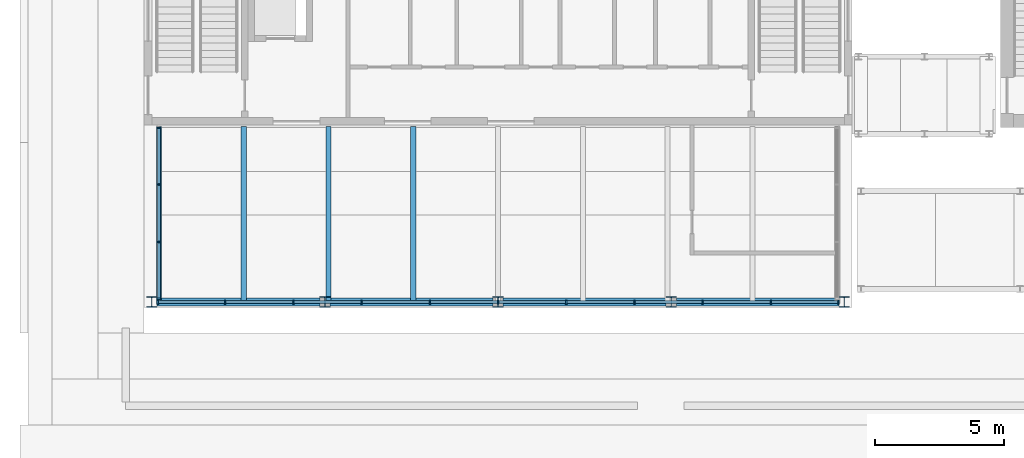
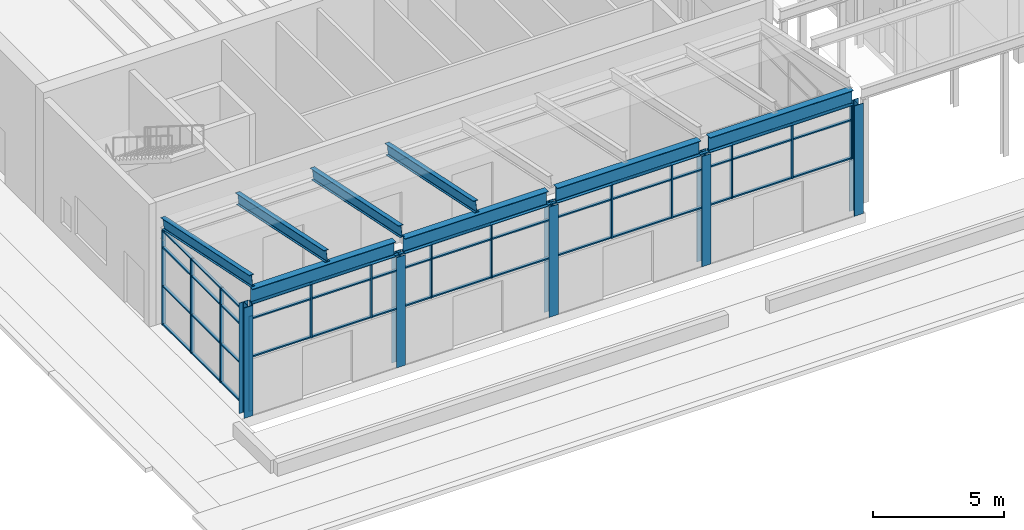
# One storey, part 16 of 71: 66 members, 4 beams, 2 elements without a shape of their own.
"""IFC4 building model written with IfcOpenShell, lengths in metres."""

from ifc_helpers import new_model, si_unit, direction, frame, origin, origin_2d, place, context, subcontext, project, spatial, rectangle, i_section, extrude, material, layer, layer_set, material_profile, profile_set, type_object, element, aggregate, save


model = new_model("IFC4")

# Units and contexts
model_context = context("Model", 3, precision=1e-05, world=origin(), true_north=direction((0.0, 1.0)))
body_context = subcontext(model_context, "Body", "Model", "MODEL_VIEW")
ifc_project = project(units=[si_unit("LENGTHUNIT", "METRE"), si_unit("AREAUNIT", "SQUARE_METRE"), si_unit("VOLUMEUNIT", "CUBIC_METRE"), si_unit("PLANEANGLEUNIT", "RADIAN"), si_unit("MASSUNIT", "GRAM", prefix="KILO")], contexts=[model_context])

# Site, building, storey
site_placement = place(None, origin())
site = spatial("IfcSite", under=ifc_project, at=site_placement, CompositionType="ELEMENT")
building_placement = place(site_placement, origin())
building = spatial("IfcBuilding", under=site, at=building_placement, Name="Basin Gate Institute", CompositionType="ELEMENT")
storey_placement = place(building_placement, origin())
storey = spatial("IfcBuildingStorey", under=building, at=storey_placement, Name="L00", CompositionType="ELEMENT", Elevation=0.0)

# Curtain wall, members
ifc_material_1 = material(Name="Aluminium and glass curtain wall", Category="aluminium")
ifc_layer = layer(ifc_material_1, 0.14990234375)
ifc_layer_set = layer_set([ifc_layer], Name="Atrium curtain wall CW81")
curtain_wall_type = type_object("IfcCurtainWallType", Name="Atrium curtain wall CW81", PredefinedType="NOTDEFINED", material=ifc_layer_set)
curtain_wall_1_placement = place(storey_placement, origin())
curtain_wall_1 = element("IfcCurtainWall", 1, at=curtain_wall_1_placement, inside=storey, type_object=curtain_wall_type, material=ifc_layer_set, Name="Foyer glazed front", PredefinedType="NOTDEFINED")
ifc_material_2 = material(Name="Aluminium mullion", Category="aluminium")
ifc_material_profile_1 = material_profile(ifc_material_2, rectangle(XDim=0.159912109375, YDim=0.06005859375, at=origin_2d()), Name="Atrium mullion MU81 160 x 60")
ifc_profile_set_1 = profile_set([ifc_material_profile_1], Name="Aluminium mullion")
member_type_1 = type_object("IfcMemberType", Name="Atrium mullion MU81", PredefinedType="MULLION", material=ifc_profile_set_1)
member_1_placement = place(storey_placement, frame((28.330078125, 28.10009765625, 2.60009765625), z_axis=(0.0, 0.0, 1.0), x_axis=(0.0, 1.0, 0.0)))
member_1 = element("IfcMember", 2, at=member_1_placement, type_object=member_type_1, material=ifc_profile_set_1, Name="CW81 mullion 1", PredefinedType="MULLION", context=body_context, shape_type="SweptSolid", body=[
    extrude(rectangle(XDim=0.159912109375, YDim=0.06005859375, at=origin_2d()), origin(), (0.0, 0.0, 1.0), 2.527587890625),
])
member_2_placement = place(storey_placement, frame((30.93994140625, 28.10009765625, 2.60009765625), z_axis=(0.0, 0.0, 1.0), x_axis=(0.0, 1.0, 0.0)))
member_2 = element("IfcMember", 3, at=member_2_placement, type_object=member_type_1, material=ifc_profile_set_1, Name="CW81 mullion 2", PredefinedType="MULLION", context=body_context, shape_type="SweptSolid", body=[
    extrude(rectangle(XDim=0.159912109375, YDim=0.06005859375, at=origin_2d()), origin(), (0.0, 0.0, 1.0), 2.527587890625),
])
member_3_placement = place(storey_placement, frame((33.580078125, 28.10009765625, 2.60009765625), z_axis=(0.0, 0.0, 1.0), x_axis=(0.0, 1.0, 0.0)))
member_3 = element("IfcMember", 4, at=member_3_placement, type_object=member_type_1, material=ifc_profile_set_1, Name="CW81 mullion 3", PredefinedType="MULLION", context=body_context, shape_type="SweptSolid", body=[
    extrude(rectangle(XDim=0.159912109375, YDim=0.06005859375, at=origin_2d()), origin(), (0.0, 0.0, 1.0), 2.527587890625),
])
member_4_placement = place(storey_placement, frame((36.219970703125, 28.10009765625, 2.60009765625), z_axis=(0.0, 0.0, 1.0), x_axis=(0.0, 1.0, 0.0)))
member_4 = element("IfcMember", 5, at=member_4_placement, type_object=member_type_1, material=ifc_profile_set_1, Name="CW81 mullion 4", PredefinedType="MULLION", context=body_context, shape_type="SweptSolid", body=[
    extrude(rectangle(XDim=0.159912109375, YDim=0.06005859375, at=origin_2d()), origin(), (0.0, 0.0, 1.0), 2.527587890625),
])
member_5_placement = place(storey_placement, frame((38.860107421875, 28.10009765625, 2.60009765625), z_axis=(0.0, 0.0, 1.0), x_axis=(0.0, 1.0, 0.0)))
member_5 = element("IfcMember", 6, at=member_5_placement, type_object=member_type_1, material=ifc_profile_set_1, Name="CW81 mullion 5", PredefinedType="MULLION", context=body_context, shape_type="SweptSolid", body=[
    extrude(rectangle(XDim=0.159912109375, YDim=0.06005859375, at=origin_2d()), origin(), (0.0, 0.0, 1.0), 2.527587890625),
])
member_6_placement = place(storey_placement, frame((41.5, 28.10009765625, 2.60009765625), z_axis=(0.0, 0.0, 1.0), x_axis=(0.0, 1.0, 0.0)))
member_6 = element("IfcMember", 7, at=member_6_placement, type_object=member_type_1, material=ifc_profile_set_1, Name="CW81 mullion 6", PredefinedType="MULLION", context=body_context, shape_type="SweptSolid", body=[
    extrude(rectangle(XDim=0.159912109375, YDim=0.06005859375, at=origin_2d()), origin(), (0.0, 0.0, 1.0), 2.527587890625),
])
member_7_placement = place(storey_placement, frame((44.139892578125, 28.10009765625, 2.60009765625), z_axis=(0.0, 0.0, 1.0), x_axis=(0.0, 1.0, 0.0)))
member_7 = element("IfcMember", 8, at=member_7_placement, type_object=member_type_1, material=ifc_profile_set_1, Name="CW81 mullion 7", PredefinedType="MULLION", context=body_context, shape_type="SweptSolid", body=[
    extrude(rectangle(XDim=0.159912109375, YDim=0.06005859375, at=origin_2d()), origin(), (0.0, 0.0, 1.0), 2.527587890625),
])
member_8_placement = place(storey_placement, frame((46.780029296875, 28.10009765625, 2.60009765625), z_axis=(0.0, 0.0, 1.0), x_axis=(0.0, 1.0, 0.0)))
member_8 = element("IfcMember", 9, at=member_8_placement, type_object=member_type_1, material=ifc_profile_set_1, Name="CW81 mullion 8", PredefinedType="MULLION", context=body_context, shape_type="SweptSolid", body=[
    extrude(rectangle(XDim=0.159912109375, YDim=0.06005859375, at=origin_2d()), origin(), (0.0, 0.0, 1.0), 2.527587890625),
])
member_9_placement = place(storey_placement, frame((49.419921875, 28.10009765625, 2.60009765625), z_axis=(0.0, 0.0, 1.0), x_axis=(0.0, 1.0, 0.0)))
member_9 = element("IfcMember", 10, at=member_9_placement, type_object=member_type_1, material=ifc_profile_set_1, Name="CW81 mullion 9", PredefinedType="MULLION", context=body_context, shape_type="SweptSolid", body=[
    extrude(rectangle(XDim=0.159912109375, YDim=0.06005859375, at=origin_2d()), origin(), (0.0, 0.0, 1.0), 2.527587890625),
])
member_10_placement = place(storey_placement, frame((52.06005859375, 28.10009765625, 2.60009765625), z_axis=(0.0, 0.0, 1.0), x_axis=(0.0, 1.0, 0.0)))
member_10 = element("IfcMember", 11, at=member_10_placement, type_object=member_type_1, material=ifc_profile_set_1, Name="CW81 mullion 10", PredefinedType="MULLION", context=body_context, shape_type="SweptSolid", body=[
    extrude(rectangle(XDim=0.159912109375, YDim=0.06005859375, at=origin_2d()), origin(), (0.0, 0.0, 1.0), 2.527587890625),
])
member_11_placement = place(storey_placement, frame((54.669921875, 28.10009765625, 2.60009765625), z_axis=(0.0, 0.0, 1.0), x_axis=(0.0, 1.0, 0.0)))
member_11 = element("IfcMember", 12, at=member_11_placement, type_object=member_type_1, material=ifc_profile_set_1, Name="CW81 mullion 11", PredefinedType="MULLION", context=body_context, shape_type="SweptSolid", body=[
    extrude(rectangle(XDim=0.159912109375, YDim=0.06005859375, at=origin_2d()), origin(), (0.0, 0.0, 1.0), 2.527587890625),
])

curtain_wall_2_placement = place(storey_placement, origin())
curtain_wall_2 = element("IfcCurtainWall", 13, at=curtain_wall_2_placement, inside=storey, type_object=curtain_wall_type, material=ifc_layer_set, Name="Foyer glazed side W", PredefinedType="NOTDEFINED")
member_12_placement = place(storey_placement, frame((28.375, 28.22998046875, 0.0), z_axis=(0.0, 0.0, 1.0), x_axis=(-1.0, 0.0, 0.0)))
member_12 = element("IfcMember", 14, at=member_12_placement, type_object=member_type_1, material=ifc_profile_set_1, Name="CW81 mullion 1", PredefinedType="MULLION", context=body_context, shape_type="SweptSolid", body=[
    extrude(rectangle(XDim=0.159912109375, YDim=0.06005859375, at=origin_2d()), origin(), (0.0, 0.0, 1.0), 4.39990234375),
])
member_13_placement = place(storey_placement, frame((28.375, 30.425048828125, 0.0), z_axis=(0.0, 0.0, 1.0), x_axis=(-1.0, 0.0, 0.0)))
member_13 = element("IfcMember", 15, at=member_13_placement, type_object=member_type_1, material=ifc_profile_set_1, Name="CW81 mullion 2", PredefinedType="MULLION", context=body_context, shape_type="SweptSolid", body=[
    extrude(rectangle(XDim=0.159912109375, YDim=0.06005859375, at=origin_2d()), origin(), (0.0, 0.0, 1.0), 4.39990234375),
])
member_14_placement = place(storey_placement, frame((28.375, 32.64990234375, 0.0), z_axis=(0.0, 0.0, 1.0), x_axis=(-1.0, 0.0, 0.0)))
member_14 = element("IfcMember", 16, at=member_14_placement, type_object=member_type_1, material=ifc_profile_set_1, Name="CW81 mullion 3", PredefinedType="MULLION", context=body_context, shape_type="SweptSolid", body=[
    extrude(rectangle(XDim=0.159912109375, YDim=0.06005859375, at=origin_2d()), origin(), (0.0, 0.0, 1.0), 4.39990234375),
])
member_15_placement = place(storey_placement, frame((28.375, 34.844970703125, 0.0), z_axis=(0.0, 0.0, 1.0), x_axis=(-1.0, 0.0, 0.0)))
member_15 = element("IfcMember", 17, at=member_15_placement, type_object=member_type_1, material=ifc_profile_set_1, Name="CW81 mullion 4", PredefinedType="MULLION", context=body_context, shape_type="SweptSolid", body=[
    extrude(rectangle(XDim=0.159912109375, YDim=0.06005859375, at=origin_2d()), origin(), (0.0, 0.0, 1.0), 4.39990234375),
])

# Member
ifc_material_3 = material(Name="Aluminium transom", Category="aluminium")
ifc_material_profile_2 = material_profile(ifc_material_3, rectangle(XDim=0.1201171875, YDim=0.06005859375, at=origin_2d()), Name="Atrium transom TR81 120 x 60")
ifc_profile_set_2 = profile_set([ifc_material_profile_2], Name="Aluminium transom")
member_type_2 = type_object("IfcMemberType", Name="Atrium transom TR81", PredefinedType="USERDEFINED", material=ifc_profile_set_2)
member_16_placement = place(storey_placement, frame((28.360107421875, 28.10009765625, 2.6298828125), z_axis=(1.0, 0.0, 0.0), x_axis=(0.0, 1.0, 0.0)))
member_16 = element("IfcMember", 18, at=member_16_placement, type_object=member_type_2, material=ifc_profile_set_2, Name="CW81 transom 1.1", ObjectType="TRANSOM", PredefinedType="USERDEFINED", context=body_context, shape_type="SweptSolid", body=[
    extrude(rectangle(XDim=0.1201171875, YDim=0.06005859375, at=origin_2d()), origin(), (0.0, 0.0, 1.0), 2.5498046875),
])

member_17_placement = place(storey_placement, frame((28.360107421875, 28.10009765625, 4.39990234375), z_axis=(1.0, 0.0, 0.0), x_axis=(0.0, 1.0, 0.0)))
member_17 = element("IfcMember", 19, at=member_17_placement, type_object=member_type_2, material=ifc_profile_set_2, Name="CW81 transom 1.2", ObjectType="TRANSOM", PredefinedType="USERDEFINED", context=body_context, shape_type="SweptSolid", body=[
    extrude(rectangle(XDim=0.1201171875, YDim=0.06005859375, at=origin_2d()), origin(), (0.0, 0.0, 1.0), 2.5498046875),
])

member_18_placement = place(storey_placement, frame((28.360107421875, 28.10009765625, 5.09765625), z_axis=(1.0, 0.0, 0.0), x_axis=(0.0, 1.0, 0.0)))
member_18 = element("IfcMember", 20, at=member_18_placement, type_object=member_type_2, material=ifc_profile_set_2, Name="CW81 transom 1.3", ObjectType="TRANSOM", PredefinedType="USERDEFINED", context=body_context, shape_type="SweptSolid", body=[
    extrude(rectangle(XDim=0.1201171875, YDim=0.06005859375, at=origin_2d()), origin(), (0.0, 0.0, 1.0), 2.5498046875),
])

member_19_placement = place(storey_placement, frame((30.969970703125, 28.10009765625, 2.6298828125), z_axis=(1.0, 0.0, 0.0), x_axis=(0.0, 1.0, 0.0)))
member_19 = element("IfcMember", 21, at=member_19_placement, type_object=member_type_2, material=ifc_profile_set_2, Name="CW81 transom 2.1", ObjectType="TRANSOM", PredefinedType="USERDEFINED", context=body_context, shape_type="SweptSolid", body=[
    extrude(rectangle(XDim=0.1201171875, YDim=0.06005859375, at=origin_2d()), origin(), (0.0, 0.0, 1.0), 2.580078125),
])

member_20_placement = place(storey_placement, frame((30.969970703125, 28.10009765625, 4.39990234375), z_axis=(1.0, 0.0, 0.0), x_axis=(0.0, 1.0, 0.0)))
member_20 = element("IfcMember", 22, at=member_20_placement, type_object=member_type_2, material=ifc_profile_set_2, Name="CW81 transom 2.2", ObjectType="TRANSOM", PredefinedType="USERDEFINED", context=body_context, shape_type="SweptSolid", body=[
    extrude(rectangle(XDim=0.1201171875, YDim=0.06005859375, at=origin_2d()), origin(), (0.0, 0.0, 1.0), 2.580078125),
])

member_21_placement = place(storey_placement, frame((30.969970703125, 28.10009765625, 5.09765625), z_axis=(1.0, 0.0, 0.0), x_axis=(0.0, 1.0, 0.0)))
member_21 = element("IfcMember", 23, at=member_21_placement, type_object=member_type_2, material=ifc_profile_set_2, Name="CW81 transom 2.3", ObjectType="TRANSOM", PredefinedType="USERDEFINED", context=body_context, shape_type="SweptSolid", body=[
    extrude(rectangle(XDim=0.1201171875, YDim=0.06005859375, at=origin_2d()), origin(), (0.0, 0.0, 1.0), 2.580078125),
])

member_22_placement = place(storey_placement, frame((33.610107421875, 28.10009765625, 2.6298828125), z_axis=(1.0, 0.0, 0.0), x_axis=(0.0, 1.0, 0.0)))
member_22 = element("IfcMember", 24, at=member_22_placement, type_object=member_type_2, material=ifc_profile_set_2, Name="CW81 transom 3.1", ObjectType="TRANSOM", PredefinedType="USERDEFINED", context=body_context, shape_type="SweptSolid", body=[
    extrude(rectangle(XDim=0.1201171875, YDim=0.06005859375, at=origin_2d()), origin(), (0.0, 0.0, 1.0), 2.579833984375),
])

member_23_placement = place(storey_placement, frame((33.610107421875, 28.10009765625, 4.39990234375), z_axis=(1.0, 0.0, 0.0), x_axis=(0.0, 1.0, 0.0)))
member_23 = element("IfcMember", 25, at=member_23_placement, type_object=member_type_2, material=ifc_profile_set_2, Name="CW81 transom 3.2", ObjectType="TRANSOM", PredefinedType="USERDEFINED", context=body_context, shape_type="SweptSolid", body=[
    extrude(rectangle(XDim=0.1201171875, YDim=0.06005859375, at=origin_2d()), origin(), (0.0, 0.0, 1.0), 2.579833984375),
])

member_24_placement = place(storey_placement, frame((33.610107421875, 28.10009765625, 5.09765625), z_axis=(1.0, 0.0, 0.0), x_axis=(0.0, 1.0, 0.0)))
member_24 = element("IfcMember", 26, at=member_24_placement, type_object=member_type_2, material=ifc_profile_set_2, Name="CW81 transom 3.3", ObjectType="TRANSOM", PredefinedType="USERDEFINED", context=body_context, shape_type="SweptSolid", body=[
    extrude(rectangle(XDim=0.1201171875, YDim=0.06005859375, at=origin_2d()), origin(), (0.0, 0.0, 1.0), 2.579833984375),
])

member_25_placement = place(storey_placement, frame((36.25, 28.10009765625, 2.6298828125), z_axis=(1.0, 0.0, 0.0), x_axis=(0.0, 1.0, 0.0)))
member_25 = element("IfcMember", 27, at=member_25_placement, type_object=member_type_2, material=ifc_profile_set_2, Name="CW81 transom 4.1", ObjectType="TRANSOM", PredefinedType="USERDEFINED", context=body_context, shape_type="SweptSolid", body=[
    extrude(rectangle(XDim=0.1201171875, YDim=0.06005859375, at=origin_2d()), origin(), (0.0, 0.0, 1.0), 2.580078125),
])

member_26_placement = place(storey_placement, frame((36.25, 28.10009765625, 4.39990234375), z_axis=(1.0, 0.0, 0.0), x_axis=(0.0, 1.0, 0.0)))
member_26 = element("IfcMember", 28, at=member_26_placement, type_object=member_type_2, material=ifc_profile_set_2, Name="CW81 transom 4.2", ObjectType="TRANSOM", PredefinedType="USERDEFINED", context=body_context, shape_type="SweptSolid", body=[
    extrude(rectangle(XDim=0.1201171875, YDim=0.06005859375, at=origin_2d()), origin(), (0.0, 0.0, 1.0), 2.580078125),
])

member_27_placement = place(storey_placement, frame((36.25, 28.10009765625, 5.09765625), z_axis=(1.0, 0.0, 0.0), x_axis=(0.0, 1.0, 0.0)))
member_27 = element("IfcMember", 29, at=member_27_placement, type_object=member_type_2, material=ifc_profile_set_2, Name="CW81 transom 4.3", ObjectType="TRANSOM", PredefinedType="USERDEFINED", context=body_context, shape_type="SweptSolid", body=[
    extrude(rectangle(XDim=0.1201171875, YDim=0.06005859375, at=origin_2d()), origin(), (0.0, 0.0, 1.0), 2.580078125),
])

member_28_placement = place(storey_placement, frame((38.889892578125, 28.10009765625, 2.6298828125), z_axis=(1.0, 0.0, 0.0), x_axis=(0.0, 1.0, 0.0)))
member_28 = element("IfcMember", 30, at=member_28_placement, type_object=member_type_2, material=ifc_profile_set_2, Name="CW81 transom 5.1", ObjectType="TRANSOM", PredefinedType="USERDEFINED", context=body_context, shape_type="SweptSolid", body=[
    extrude(rectangle(XDim=0.1201171875, YDim=0.06005859375, at=origin_2d()), origin(), (0.0, 0.0, 1.0), 2.580078125),
])

member_29_placement = place(storey_placement, frame((38.889892578125, 28.10009765625, 4.39990234375), z_axis=(1.0, 0.0, 0.0), x_axis=(0.0, 1.0, 0.0)))
member_29 = element("IfcMember", 31, at=member_29_placement, type_object=member_type_2, material=ifc_profile_set_2, Name="CW81 transom 5.2", ObjectType="TRANSOM", PredefinedType="USERDEFINED", context=body_context, shape_type="SweptSolid", body=[
    extrude(rectangle(XDim=0.1201171875, YDim=0.06005859375, at=origin_2d()), origin(), (0.0, 0.0, 1.0), 2.580078125),
])

member_30_placement = place(storey_placement, frame((38.889892578125, 28.10009765625, 5.09765625), z_axis=(1.0, 0.0, 0.0), x_axis=(0.0, 1.0, 0.0)))
member_30 = element("IfcMember", 32, at=member_30_placement, type_object=member_type_2, material=ifc_profile_set_2, Name="CW81 transom 5.3", ObjectType="TRANSOM", PredefinedType="USERDEFINED", context=body_context, shape_type="SweptSolid", body=[
    extrude(rectangle(XDim=0.1201171875, YDim=0.06005859375, at=origin_2d()), origin(), (0.0, 0.0, 1.0), 2.580078125),
])

member_31_placement = place(storey_placement, frame((41.530029296875, 28.10009765625, 2.6298828125), z_axis=(1.0, 0.0, 0.0), x_axis=(0.0, 1.0, 0.0)))
member_31 = element("IfcMember", 33, at=member_31_placement, type_object=member_type_2, material=ifc_profile_set_2, Name="CW81 transom 6.1", ObjectType="TRANSOM", PredefinedType="USERDEFINED", context=body_context, shape_type="SweptSolid", body=[
    extrude(rectangle(XDim=0.1201171875, YDim=0.06005859375, at=origin_2d()), origin(), (0.0, 0.0, 1.0), 2.580078125),
])

member_32_placement = place(storey_placement, frame((41.530029296875, 28.10009765625, 4.39990234375), z_axis=(1.0, 0.0, 0.0), x_axis=(0.0, 1.0, 0.0)))
member_32 = element("IfcMember", 34, at=member_32_placement, type_object=member_type_2, material=ifc_profile_set_2, Name="CW81 transom 6.2", ObjectType="TRANSOM", PredefinedType="USERDEFINED", context=body_context, shape_type="SweptSolid", body=[
    extrude(rectangle(XDim=0.1201171875, YDim=0.06005859375, at=origin_2d()), origin(), (0.0, 0.0, 1.0), 2.580078125),
])

member_33_placement = place(storey_placement, frame((41.530029296875, 28.10009765625, 5.09765625), z_axis=(1.0, 0.0, 0.0), x_axis=(0.0, 1.0, 0.0)))
member_33 = element("IfcMember", 35, at=member_33_placement, type_object=member_type_2, material=ifc_profile_set_2, Name="CW81 transom 6.3", ObjectType="TRANSOM", PredefinedType="USERDEFINED", context=body_context, shape_type="SweptSolid", body=[
    extrude(rectangle(XDim=0.1201171875, YDim=0.06005859375, at=origin_2d()), origin(), (0.0, 0.0, 1.0), 2.580078125),
])

member_34_placement = place(storey_placement, frame((44.169921875, 28.10009765625, 2.6298828125), z_axis=(1.0, 0.0, 0.0), x_axis=(0.0, 1.0, 0.0)))
member_34 = element("IfcMember", 36, at=member_34_placement, type_object=member_type_2, material=ifc_profile_set_2, Name="CW81 transom 7.1", ObjectType="TRANSOM", PredefinedType="USERDEFINED", context=body_context, shape_type="SweptSolid", body=[
    extrude(rectangle(XDim=0.1201171875, YDim=0.06005859375, at=origin_2d()), origin(), (0.0, 0.0, 1.0), 2.580078125),
])

member_35_placement = place(storey_placement, frame((44.169921875, 28.10009765625, 4.39990234375), z_axis=(1.0, 0.0, 0.0), x_axis=(0.0, 1.0, 0.0)))
member_35 = element("IfcMember", 37, at=member_35_placement, type_object=member_type_2, material=ifc_profile_set_2, Name="CW81 transom 7.2", ObjectType="TRANSOM", PredefinedType="USERDEFINED", context=body_context, shape_type="SweptSolid", body=[
    extrude(rectangle(XDim=0.1201171875, YDim=0.06005859375, at=origin_2d()), origin(), (0.0, 0.0, 1.0), 2.580078125),
])

member_36_placement = place(storey_placement, frame((44.169921875, 28.10009765625, 5.09765625), z_axis=(1.0, 0.0, 0.0), x_axis=(0.0, 1.0, 0.0)))
member_36 = element("IfcMember", 38, at=member_36_placement, type_object=member_type_2, material=ifc_profile_set_2, Name="CW81 transom 7.3", ObjectType="TRANSOM", PredefinedType="USERDEFINED", context=body_context, shape_type="SweptSolid", body=[
    extrude(rectangle(XDim=0.1201171875, YDim=0.06005859375, at=origin_2d()), origin(), (0.0, 0.0, 1.0), 2.580078125),
])

member_37_placement = place(storey_placement, frame((46.81005859375, 28.10009765625, 2.6298828125), z_axis=(1.0, 0.0, 0.0), x_axis=(0.0, 1.0, 0.0)))
member_37 = element("IfcMember", 39, at=member_37_placement, type_object=member_type_2, material=ifc_profile_set_2, Name="CW81 transom 8.1", ObjectType="TRANSOM", PredefinedType="USERDEFINED", context=body_context, shape_type="SweptSolid", body=[
    extrude(rectangle(XDim=0.1201171875, YDim=0.06005859375, at=origin_2d()), origin(), (0.0, 0.0, 1.0), 2.579833984375),
])

member_38_placement = place(storey_placement, frame((46.81005859375, 28.10009765625, 4.39990234375), z_axis=(1.0, 0.0, 0.0), x_axis=(0.0, 1.0, 0.0)))
member_38 = element("IfcMember", 40, at=member_38_placement, type_object=member_type_2, material=ifc_profile_set_2, Name="CW81 transom 8.2", ObjectType="TRANSOM", PredefinedType="USERDEFINED", context=body_context, shape_type="SweptSolid", body=[
    extrude(rectangle(XDim=0.1201171875, YDim=0.06005859375, at=origin_2d()), origin(), (0.0, 0.0, 1.0), 2.579833984375),
])

member_39_placement = place(storey_placement, frame((46.81005859375, 28.10009765625, 5.09765625), z_axis=(1.0, 0.0, 0.0), x_axis=(0.0, 1.0, 0.0)))
member_39 = element("IfcMember", 41, at=member_39_placement, type_object=member_type_2, material=ifc_profile_set_2, Name="CW81 transom 8.3", ObjectType="TRANSOM", PredefinedType="USERDEFINED", context=body_context, shape_type="SweptSolid", body=[
    extrude(rectangle(XDim=0.1201171875, YDim=0.06005859375, at=origin_2d()), origin(), (0.0, 0.0, 1.0), 2.579833984375),
])

member_40_placement = place(storey_placement, frame((49.449951171875, 28.10009765625, 2.6298828125), z_axis=(1.0, 0.0, 0.0), x_axis=(0.0, 1.0, 0.0)))
member_40 = element("IfcMember", 42, at=member_40_placement, type_object=member_type_2, material=ifc_profile_set_2, Name="CW81 transom 9.1", ObjectType="TRANSOM", PredefinedType="USERDEFINED", context=body_context, shape_type="SweptSolid", body=[
    extrude(rectangle(XDim=0.1201171875, YDim=0.06005859375, at=origin_2d()), origin(), (0.0, 0.0, 1.0), 2.580078125),
])

member_41_placement = place(storey_placement, frame((49.449951171875, 28.10009765625, 4.39990234375), z_axis=(1.0, 0.0, 0.0), x_axis=(0.0, 1.0, 0.0)))
member_41 = element("IfcMember", 43, at=member_41_placement, type_object=member_type_2, material=ifc_profile_set_2, Name="CW81 transom 9.2", ObjectType="TRANSOM", PredefinedType="USERDEFINED", context=body_context, shape_type="SweptSolid", body=[
    extrude(rectangle(XDim=0.1201171875, YDim=0.06005859375, at=origin_2d()), origin(), (0.0, 0.0, 1.0), 2.580078125),
])

member_42_placement = place(storey_placement, frame((49.449951171875, 28.10009765625, 5.09765625), z_axis=(1.0, 0.0, 0.0), x_axis=(0.0, 1.0, 0.0)))
member_42 = element("IfcMember", 44, at=member_42_placement, type_object=member_type_2, material=ifc_profile_set_2, Name="CW81 transom 9.3", ObjectType="TRANSOM", PredefinedType="USERDEFINED", context=body_context, shape_type="SweptSolid", body=[
    extrude(rectangle(XDim=0.1201171875, YDim=0.06005859375, at=origin_2d()), origin(), (0.0, 0.0, 1.0), 2.580078125),
])

member_43_placement = place(storey_placement, frame((52.090087890625, 28.10009765625, 2.6298828125), z_axis=(1.0, 0.0, 0.0), x_axis=(0.0, 1.0, 0.0)))
member_43 = element("IfcMember", 45, at=member_43_placement, type_object=member_type_2, material=ifc_profile_set_2, Name="CW81 transom 10.1", ObjectType="TRANSOM", PredefinedType="USERDEFINED", context=body_context, shape_type="SweptSolid", body=[
    extrude(rectangle(XDim=0.1201171875, YDim=0.06005859375, at=origin_2d()), origin(), (0.0, 0.0, 1.0), 2.5498046875),
])

member_44_placement = place(storey_placement, frame((52.090087890625, 28.10009765625, 4.39990234375), z_axis=(1.0, 0.0, 0.0), x_axis=(0.0, 1.0, 0.0)))
member_44 = element("IfcMember", 46, at=member_44_placement, type_object=member_type_2, material=ifc_profile_set_2, Name="CW81 transom 10.2", ObjectType="TRANSOM", PredefinedType="USERDEFINED", context=body_context, shape_type="SweptSolid", body=[
    extrude(rectangle(XDim=0.1201171875, YDim=0.06005859375, at=origin_2d()), origin(), (0.0, 0.0, 1.0), 2.5498046875),
])

member_45_placement = place(storey_placement, frame((52.090087890625, 28.10009765625, 5.09765625), z_axis=(1.0, 0.0, 0.0), x_axis=(0.0, 1.0, 0.0)))
member_45 = element("IfcMember", 47, at=member_45_placement, type_object=member_type_2, material=ifc_profile_set_2, Name="CW81 transom 10.3", ObjectType="TRANSOM", PredefinedType="USERDEFINED", context=body_context, shape_type="SweptSolid", body=[
    extrude(rectangle(XDim=0.1201171875, YDim=0.06005859375, at=origin_2d()), origin(), (0.0, 0.0, 1.0), 2.5498046875),
])

aggregate(curtain_wall_1, [member_1, member_2, member_3, member_4, member_5, member_6, member_7, member_8, member_9, member_10, member_11, member_16, member_17, member_18, member_19, member_20, member_21, member_22, member_23, member_24, member_25, member_26, member_27, member_28, member_29, member_30, member_31, member_32, member_33, member_34, member_35, member_36, member_37, member_38, member_39, member_40, member_41, member_42, member_43, member_44, member_45])

member_46_placement = place(storey_placement, frame((28.375, 28.260009765625, 0.030029296875), z_axis=(0.0, 1.0, 0.0), x_axis=(-1.0, 0.0, 0.0)))
member_46 = element("IfcMember", 48, at=member_46_placement, type_object=member_type_2, material=ifc_profile_set_2, Name="CW81 transom 1.1", ObjectType="TRANSOM", PredefinedType="USERDEFINED", context=body_context, shape_type="SweptSolid", body=[
    extrude(rectangle(XDim=0.1201171875, YDim=0.06005859375, at=origin_2d()), origin(), (0.0, 0.0, 1.0), 2.135009765625),
])

member_47_placement = place(storey_placement, frame((28.375, 28.260009765625, 1.800048828125), z_axis=(0.0, 1.0, 0.0), x_axis=(-1.0, 0.0, 0.0)))
member_47 = element("IfcMember", 49, at=member_47_placement, type_object=member_type_2, material=ifc_profile_set_2, Name="CW81 transom 1.2", ObjectType="TRANSOM", PredefinedType="USERDEFINED", context=body_context, shape_type="SweptSolid", body=[
    extrude(rectangle(XDim=0.1201171875, YDim=0.06005859375, at=origin_2d()), origin(), (0.0, 0.0, 1.0), 2.135009765625),
])

member_48_placement = place(storey_placement, frame((28.375, 28.260009765625, 3.60009765625), z_axis=(0.0, 1.0, 0.0), x_axis=(-1.0, 0.0, 0.0)))
member_48 = element("IfcMember", 50, at=member_48_placement, type_object=member_type_2, material=ifc_profile_set_2, Name="CW81 transom 1.3", ObjectType="TRANSOM", PredefinedType="USERDEFINED", context=body_context, shape_type="SweptSolid", body=[
    extrude(rectangle(XDim=0.1201171875, YDim=0.06005859375, at=origin_2d()), origin(), (0.0, 0.0, 1.0), 2.135009765625),
])

member_49_placement = place(storey_placement, frame((28.375, 28.260009765625, 4.3701171875), z_axis=(0.0, 1.0, 0.0), x_axis=(-1.0, 0.0, 0.0)))
member_49 = element("IfcMember", 51, at=member_49_placement, type_object=member_type_2, material=ifc_profile_set_2, Name="CW81 transom 1.4", ObjectType="TRANSOM", PredefinedType="USERDEFINED", context=body_context, shape_type="SweptSolid", body=[
    extrude(rectangle(XDim=0.1201171875, YDim=0.06005859375, at=origin_2d()), origin(), (0.0, 0.0, 1.0), 2.135009765625),
])

member_50_placement = place(storey_placement, frame((28.375, 30.455078125, 0.030029296875), z_axis=(0.0, 1.0, 0.0), x_axis=(-1.0, 0.0, 0.0)))
member_50 = element("IfcMember", 52, at=member_50_placement, type_object=member_type_2, material=ifc_profile_set_2, Name="CW81 transom 2.1", ObjectType="TRANSOM", PredefinedType="USERDEFINED", context=body_context, shape_type="SweptSolid", body=[
    extrude(rectangle(XDim=0.1201171875, YDim=0.06005859375, at=origin_2d()), origin(), (0.0, 0.0, 1.0), 2.1650390625),
])

member_51_placement = place(storey_placement, frame((28.375, 30.455078125, 1.800048828125), z_axis=(0.0, 1.0, 0.0), x_axis=(-1.0, 0.0, 0.0)))
member_51 = element("IfcMember", 53, at=member_51_placement, type_object=member_type_2, material=ifc_profile_set_2, Name="CW81 transom 2.2", ObjectType="TRANSOM", PredefinedType="USERDEFINED", context=body_context, shape_type="SweptSolid", body=[
    extrude(rectangle(XDim=0.1201171875, YDim=0.06005859375, at=origin_2d()), origin(), (0.0, 0.0, 1.0), 2.1650390625),
])

member_52_placement = place(storey_placement, frame((28.375, 30.455078125, 3.60009765625), z_axis=(0.0, 1.0, 0.0), x_axis=(-1.0, 0.0, 0.0)))
member_52 = element("IfcMember", 54, at=member_52_placement, type_object=member_type_2, material=ifc_profile_set_2, Name="CW81 transom 2.3", ObjectType="TRANSOM", PredefinedType="USERDEFINED", context=body_context, shape_type="SweptSolid", body=[
    extrude(rectangle(XDim=0.1201171875, YDim=0.06005859375, at=origin_2d()), origin(), (0.0, 0.0, 1.0), 2.1650390625),
])

member_53_placement = place(storey_placement, frame((28.375, 30.455078125, 4.3701171875), z_axis=(0.0, 1.0, 0.0), x_axis=(-1.0, 0.0, 0.0)))
member_53 = element("IfcMember", 55, at=member_53_placement, type_object=member_type_2, material=ifc_profile_set_2, Name="CW81 transom 2.4", ObjectType="TRANSOM", PredefinedType="USERDEFINED", context=body_context, shape_type="SweptSolid", body=[
    extrude(rectangle(XDim=0.1201171875, YDim=0.06005859375, at=origin_2d()), origin(), (0.0, 0.0, 1.0), 2.1650390625),
])

member_54_placement = place(storey_placement, frame((28.375, 32.679931640625, 0.030029296875), z_axis=(0.0, 1.0, 0.0), x_axis=(-1.0, 0.0, 0.0)))
member_54 = element("IfcMember", 56, at=member_54_placement, type_object=member_type_2, material=ifc_profile_set_2, Name="CW81 transom 3.1", ObjectType="TRANSOM", PredefinedType="USERDEFINED", context=body_context, shape_type="SweptSolid", body=[
    extrude(rectangle(XDim=0.1201171875, YDim=0.06005859375, at=origin_2d()), origin(), (0.0, 0.0, 1.0), 2.135009765625),
])

member_55_placement = place(storey_placement, frame((28.375, 32.679931640625, 1.800048828125), z_axis=(0.0, 1.0, 0.0), x_axis=(-1.0, 0.0, 0.0)))
member_55 = element("IfcMember", 57, at=member_55_placement, type_object=member_type_2, material=ifc_profile_set_2, Name="CW81 transom 3.2", ObjectType="TRANSOM", PredefinedType="USERDEFINED", context=body_context, shape_type="SweptSolid", body=[
    extrude(rectangle(XDim=0.1201171875, YDim=0.06005859375, at=origin_2d()), origin(), (0.0, 0.0, 1.0), 2.135009765625),
])

member_56_placement = place(storey_placement, frame((28.375, 32.679931640625, 3.60009765625), z_axis=(0.0, 1.0, 0.0), x_axis=(-1.0, 0.0, 0.0)))
member_56 = element("IfcMember", 58, at=member_56_placement, type_object=member_type_2, material=ifc_profile_set_2, Name="CW81 transom 3.3", ObjectType="TRANSOM", PredefinedType="USERDEFINED", context=body_context, shape_type="SweptSolid", body=[
    extrude(rectangle(XDim=0.1201171875, YDim=0.06005859375, at=origin_2d()), origin(), (0.0, 0.0, 1.0), 2.135009765625),
])

member_57_placement = place(storey_placement, frame((28.375, 32.679931640625, 4.3701171875), z_axis=(0.0, 1.0, 0.0), x_axis=(-1.0, 0.0, 0.0)))
member_57 = element("IfcMember", 59, at=member_57_placement, type_object=member_type_2, material=ifc_profile_set_2, Name="CW81 transom 3.4", ObjectType="TRANSOM", PredefinedType="USERDEFINED", context=body_context, shape_type="SweptSolid", body=[
    extrude(rectangle(XDim=0.1201171875, YDim=0.06005859375, at=origin_2d()), origin(), (0.0, 0.0, 1.0), 2.135009765625),
])

aggregate(curtain_wall_2, [member_12, member_13, member_14, member_15, member_46, member_47, member_48, member_49, member_50, member_51, member_52, member_53, member_54, member_55, member_56, member_57])

# Members
ifc_material_4 = material(Name="Structural steel SN490", Category="steel")
ifc_material_profile_3 = material_profile(ifc_material_4, i_section(OverallWidth=0.39990234375, OverallDepth=0.39990234375, WebThickness=0.012939453125, FlangeThickness=0.02099609375, FilletRadius=0.02197265625, at=origin_2d()), Name="H400x400")
ifc_profile_set_3 = profile_set([ifc_material_profile_3], Name="Structural steel SN490")
member_type_3 = type_object("IfcMemberType", Name="Foyer column TC1 R180", PredefinedType="POST", material=ifc_profile_set_3)
for number, where, z_axis, x_axis, name in (
    (60, (28.10009765625, 28.10009765625, 0.0), (0.0, 0.0, 1.0), (1.0, 0.0, 0.0), "Foyer column 1"),
    (61, (34.800048828125, 28.10009765625, 0.0), (0.0, 0.0, 1.0), (1.0, 0.0, 0.0), "Foyer column 2"),
    (62, (41.5, 28.10009765625, 0.0), (0.0, 0.0, 1.0), (1.0, 0.0, 0.0), "Foyer column 3"),
    (63, (48.199951171875, 28.10009765625, 0.0), (0.0, 0.0, 1.0), (1.0, 0.0, 0.0), "Foyer column 4"),
    (64, (54.89990234375, 28.10009765625, 0.0), (0.0, 0.0, 1.0), (1.0, 0.0, 0.0), "Foyer column 5"),
):
    element("IfcMember", number, at=place(storey_placement, frame(where, z_axis=z_axis, x_axis=x_axis)), inside=storey, type_object=member_type_3, material=ifc_profile_set_3, Name=name, PredefinedType="POST", context=body_context, shape_type="SweptSolid", body=[
        extrude(i_section(OverallWidth=0.39990234375, OverallDepth=0.39990234375, WebThickness=0.012939453125, FlangeThickness=0.02099609375, FilletRadius=0.02197265625, at=origin_2d()), origin(), (0.0, 0.0, 1.0), 5.127685546875),
    ])

# Beams
ifc_material_5 = material(Name="Structural steel SN490", Category="steel")
ifc_material_profile_4 = material_profile(ifc_material_5, i_section(OverallWidth=0.300048828125, OverallDepth=0.699951171875, WebThickness=0.012939453125, FlangeThickness=0.02392578125, FilletRadius=0.028076171875, at=origin_2d()), Name="H700x300")
ifc_profile_set_4 = profile_set([ifc_material_profile_4], Name="Structural steel SN490")
beam_type = type_object("IfcBeamType", Name="Foyer front beam SG2 R180", PredefinedType="BEAM", material=ifc_profile_set_4)
for number, where, z_axis, x_axis, name in (
    (65, (28.300048828125, 28.10009765625, 5.4775390625), (1.0, 0.0, 0.0), (0.0, 1.0, 0.0), "Foyer front beam 1"),
    (66, (35.0, 28.10009765625, 5.4775390625), (1.0, 0.0, 0.0), (0.0, 1.0, 0.0), "Foyer front beam 2"),
    (67, (41.699951171875, 28.10009765625, 5.4775390625), (1.0, 0.0, 0.0), (0.0, 1.0, 0.0), "Foyer front beam 3"),
    (68, (48.39990234375, 28.10009765625, 5.4775390625), (1.0, 0.0, 0.0), (0.0, 1.0, 0.0), "Foyer front beam 4"),
):
    element("IfcBeam", number, at=place(storey_placement, frame(where, z_axis=z_axis, x_axis=x_axis)), inside=storey, type_object=beam_type, material=ifc_profile_set_4, Name=name, PredefinedType="BEAM", context=body_context, shape_type="SweptSolid", body=[
        extrude(i_section(OverallWidth=0.300048828125, OverallDepth=0.699951171875, WebThickness=0.012939453125, FlangeThickness=0.02392578125, FilletRadius=0.028076171875, at=origin_2d()), origin(), (0.0, 0.0, 1.0), 6.300048828125),
    ])

# Members
ifc_material_6 = material(Name="Structural steel SN490", Category="steel")
ifc_material_profile_5 = material_profile(ifc_material_6, i_section(OverallWidth=0.199951171875, OverallDepth=0.5, WebThickness=0.010009765625, FlangeThickness=0.01611328125, FilletRadius=0.02001953125, at=origin_2d()), Name="H500x200")
ifc_profile_set_5 = profile_set([ifc_material_profile_5], Name="Structural steel SN490")
member_type_4 = type_object("IfcMemberType", Name="Roof purlin SB1 R180", PredefinedType="PURLIN", material=ifc_profile_set_5)
for number, where, z_axis, x_axis, name in (
    (69, (28.375, 28.10009765625, 6.114013671875), (0.0, 0.979163875427, -0.203071674685), (-1.0, 0.0, 0.0), "Foyer rafter 1"),
    (70, (31.65625, 28.10009765625, 6.114013671875), (0.0, 0.979163875427, -0.203071674685), (-1.0, 0.0, 0.0), "Foyer rafter 2"),
    (71, (34.9375, 28.10009765625, 6.114013671875), (0.0, 0.979163875427, -0.203071674685), (-1.0, 0.0, 0.0), "Foyer rafter 3"),
    (72, (38.21875, 28.10009765625, 6.114013671875), (0.0, 0.979163875427, -0.203071674685), (-1.0, 0.0, 0.0), "Foyer rafter 4"),
):
    element("IfcMember", number, at=place(storey_placement, frame(where, z_axis=z_axis, x_axis=x_axis)), inside=storey, type_object=member_type_4, material=ifc_profile_set_5, Name=name, PredefinedType="PURLIN", context=body_context, shape_type="SweptSolid", body=[
        extrude(i_section(OverallWidth=0.199951171875, OverallDepth=0.5, WebThickness=0.010009765625, FlangeThickness=0.01611328125, FilletRadius=0.02001953125, at=origin_2d()), origin(), (0.0, 0.0, 1.0), 6.8935546875),
    ])

save(model, "model.ifc")
